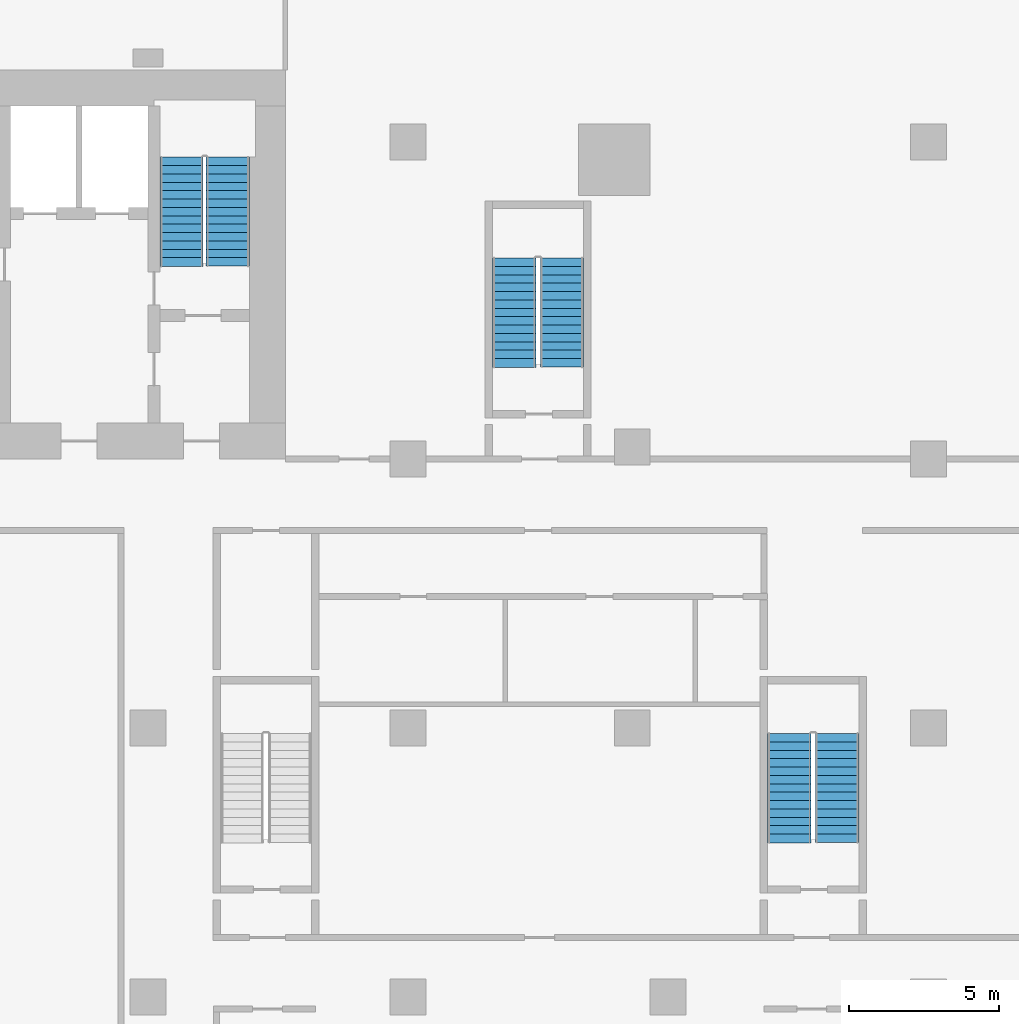
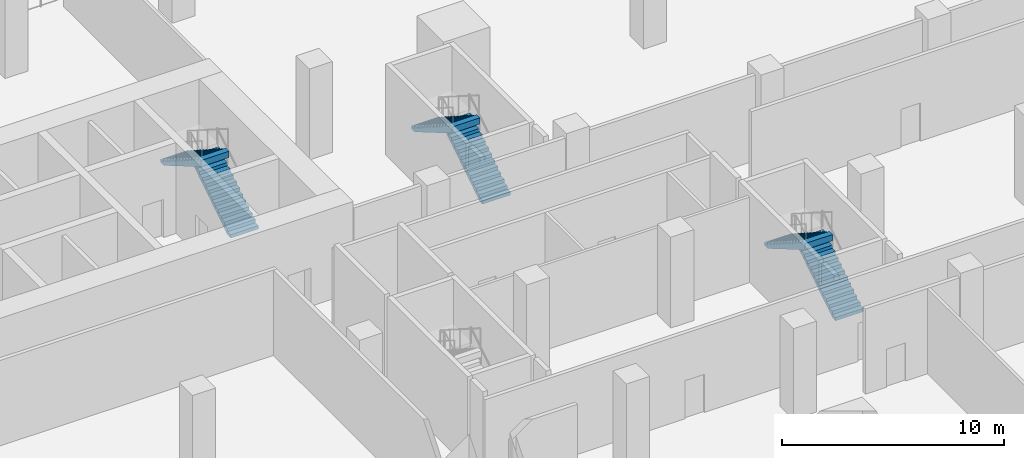
# One storey, part 13 of 16: 6 stair flights, 3 elements without a shape of their own.
"""IFC4 building model written with IfcOpenShell, lengths in metres."""

from ifc_helpers import new_model, si_unit, direction, frame, origin, place, context, subcontext, project, spatial, polyline, outline, extrude, material, type_object, element, aggregate, save


model = new_model("IFC4")

# Units and contexts
model_context = context("Model", 3, precision=1e-05, world=origin(), true_north=direction((0.0, 1.0)))
body_context = subcontext(model_context, "Body", "Model", "MODEL_VIEW")
ifc_project = project(units=[si_unit("LENGTHUNIT", "METRE"), si_unit("AREAUNIT", "SQUARE_METRE"), si_unit("VOLUMEUNIT", "CUBIC_METRE"), si_unit("PLANEANGLEUNIT", "RADIAN"), si_unit("MASSUNIT", "GRAM", prefix="KILO")], contexts=[model_context])

# Site, building, storey
site_placement = place(None, origin())
site = spatial("IfcSite", under=ifc_project, at=site_placement, CompositionType="ELEMENT")
building_placement = place(site_placement, origin())
building = spatial("IfcBuilding", under=site, at=building_placement, Name="Bicima Exchange Tower", CompositionType="ELEMENT")
storey_placement = place(building_placement, frame((0.0, 0.0, -5.0)))
storey = spatial("IfcBuildingStorey", under=building, at=storey_placement, Name="B1", CompositionType="ELEMENT", Elevation=-5.0)

# Stair, stair flights
ifc_material = material(Name="Concrete C50/60", Category="concrete")
stair_type = type_object("IfcStairType", Name="Exit stair", PredefinedType="HALF_TURN_STAIR", material=ifc_material)
stair_1_placement = place(storey_placement, origin())
stair_1 = element("IfcStair", 1, at=stair_1_placement, inside=storey, type_object=stair_type, Name="B1 East exit stair", PredefinedType="HALF_TURN_STAIR")
stair_flight_type = type_object("IfcStairFlightType", Name="Stair flight RC", PredefinedType="STRAIGHT", material=ifc_material)
stair_flight_1_placement = place(storey_placement, frame((20.074951171875, -6.550048828125, 0.0), z_axis=(0.0, 0.0, 1.0), x_axis=(0.0, 1.0, 0.0)))
stair_flight_1 = element("IfcStairFlight", 2, at=stair_flight_1_placement, type_object=stair_flight_type, Name="ST-E flight 1", NumberOfRisers=14, NumberOfTreads=13, PredefinedType="STRAIGHT", RiserHeight=0.178571429, TreadLength=0.28, context=body_context, shape_type="SweptSolid", body=[
    extrude(outline(polyline([(0.0, 0.0), (0.0, 0.178466796875), (0.280029296875, 0.178466796875), (0.280029296875, 0.357177734375), (0.56005859375, 0.357177734375), (0.56005859375, 0.53564453125), (0.840087890625, 0.53564453125), (0.840087890625, 0.71435546875), (1.1201171875, 0.71435546875), (1.1201171875, 0.892822265625), (1.39990234375, 0.892822265625), (1.39990234375, 1.071533203125), (1.679931640625, 1.071533203125), (1.679931640625, 1.25), (1.9599609375, 1.25), (1.9599609375, 1.428466796875), (2.239990234375, 1.428466796875), (2.239990234375, 1.607177734375), (2.52001953125, 1.607177734375), (2.52001953125, 1.78564453125), (2.800048828125, 1.78564453125), (2.800048828125, 1.96435546875), (3.080078125, 1.96435546875), (3.080078125, 2.142822265625), (3.360107421875, 2.142822265625), (3.360107421875, 2.321533203125), (3.639892578125, 2.321533203125), (3.639892578125, 2.5), (3.639892578125, 2.1435546875), (0.27880859375, 0.0), (0.0, 0.0)])), frame((0.0, 0.72509765625, 0.0), z_axis=(0.0, -1.0, 0.0), x_axis=(1.0, 0.0, 0.0)), (0.0, 0.0, 1.0), 1.449951171875),
])
stair_flight_2_placement = place(storey_placement, frame((18.52490234375, -2.909912109375, 2.5), z_axis=(0.0, 0.0, 1.0), x_axis=(0.0, -1.0, 0.0)))
stair_flight_2 = element("IfcStairFlight", 3, at=stair_flight_2_placement, type_object=stair_flight_type, Name="ST-E flight 2", NumberOfRisers=14, NumberOfTreads=13, PredefinedType="STRAIGHT", RiserHeight=0.178571429, TreadLength=0.28, context=body_context, shape_type="SweptSolid", body=[
    extrude(outline(polyline([(0.0, 0.0), (0.0, 0.178466796875), (0.280029296875, 0.178466796875), (0.280029296875, 0.357177734375), (0.56005859375, 0.357177734375), (0.56005859375, 0.53564453125), (0.840087890625, 0.53564453125), (0.840087890625, 0.71435546875), (1.1201171875, 0.71435546875), (1.1201171875, 0.892822265625), (1.39990234375, 0.892822265625), (1.39990234375, 1.071533203125), (1.679931640625, 1.071533203125), (1.679931640625, 1.25), (1.9599609375, 1.25), (1.9599609375, 1.428466796875), (2.239990234375, 1.428466796875), (2.239990234375, 1.607177734375), (2.52001953125, 1.607177734375), (2.52001953125, 1.78564453125), (2.800048828125, 1.78564453125), (2.800048828125, 1.96435546875), (3.080078125, 1.96435546875), (3.080078125, 2.142822265625), (3.360107421875, 2.142822265625), (3.360107421875, 2.321533203125), (3.639892578125, 2.321533203125), (3.655029296875, 2.321533203125), (3.655029296875, 1.974609375), (0.27880859375, 0.0), (0.0, 0.0)])), frame((0.0, 0.72509765625, 0.0), z_axis=(0.0, -1.0, 0.0), x_axis=(1.0, 0.0, 0.0)), (0.0, 0.0, 1.0), 1.449951171875),
])
aggregate(stair_1, [stair_flight_1, stair_flight_2])

stair_2_placement = place(storey_placement, origin())
stair_2 = element("IfcStair", 4, at=stair_2_placement, inside=storey, type_object=stair_type, Name="B1 East end exit stair", PredefinedType="HALF_TURN_STAIR")
stair_flight_3_placement = place(storey_placement, frame((31.25, -9.925048828125, 0.0), z_axis=(0.0, 0.0, 1.0), x_axis=(0.0, 1.0, 0.0)))
stair_flight_3 = element("IfcStairFlight", 5, at=stair_flight_3_placement, type_object=stair_flight_type, Name="ST-EE flight 1", NumberOfRisers=14, NumberOfTreads=13, PredefinedType="STRAIGHT", RiserHeight=0.178571429, TreadLength=0.28, context=body_context, shape_type="SweptSolid", body=[
    extrude(outline(polyline([(0.0, 0.0), (0.0, 0.178466796875), (0.280029296875, 0.178466796875), (0.280029296875, 0.357177734375), (0.56005859375, 0.357177734375), (0.56005859375, 0.53564453125), (0.840087890625, 0.53564453125), (0.840087890625, 0.71435546875), (1.1201171875, 0.71435546875), (1.1201171875, 0.892822265625), (1.39990234375, 0.892822265625), (1.39990234375, 1.071533203125), (1.679931640625, 1.071533203125), (1.679931640625, 1.25), (1.9599609375, 1.25), (1.9599609375, 1.428466796875), (2.239990234375, 1.428466796875), (2.239990234375, 1.607177734375), (2.52001953125, 1.607177734375), (2.52001953125, 1.78564453125), (2.800048828125, 1.78564453125), (2.800048828125, 1.96435546875), (3.080078125, 1.96435546875), (3.080078125, 2.142822265625), (3.360107421875, 2.142822265625), (3.360107421875, 2.321533203125), (3.639892578125, 2.321533203125), (3.639892578125, 2.5), (3.639892578125, 2.1435546875), (0.27880859375, 0.0), (0.0, 0.0)])), frame((0.0, 0.72509765625, 0.0), z_axis=(0.0, -1.0, 0.0), x_axis=(1.0, 0.0, 0.0)), (0.0, 0.0, 1.0), 1.449951171875),
])
stair_flight_4_placement = place(storey_placement, frame((29.64990234375, -6.284912109375, 2.5), z_axis=(0.0, 0.0, 1.0), x_axis=(0.0, -1.0, 0.0)))
stair_flight_4 = element("IfcStairFlight", 6, at=stair_flight_4_placement, type_object=stair_flight_type, Name="ST-EE flight 2", NumberOfRisers=14, NumberOfTreads=13, PredefinedType="STRAIGHT", RiserHeight=0.178571429, TreadLength=0.28, context=body_context, shape_type="SweptSolid", body=[
    extrude(outline(polyline([(0.0, 0.0), (0.0, 0.178466796875), (0.280029296875, 0.178466796875), (0.280029296875, 0.357177734375), (0.56005859375, 0.357177734375), (0.56005859375, 0.53564453125), (0.840087890625, 0.53564453125), (0.840087890625, 0.71435546875), (1.1201171875, 0.71435546875), (1.1201171875, 0.892822265625), (1.39990234375, 0.892822265625), (1.39990234375, 1.071533203125), (1.679931640625, 1.071533203125), (1.679931640625, 1.25), (1.9599609375, 1.25), (1.9599609375, 1.428466796875), (2.239990234375, 1.428466796875), (2.239990234375, 1.607177734375), (2.52001953125, 1.607177734375), (2.52001953125, 1.78564453125), (2.800048828125, 1.78564453125), (2.800048828125, 1.96435546875), (3.080078125, 1.96435546875), (3.080078125, 2.142822265625), (3.360107421875, 2.142822265625), (3.360107421875, 2.321533203125), (3.639892578125, 2.321533203125), (3.655029296875, 2.321533203125), (3.655029296875, 1.974609375), (0.27880859375, 0.0), (0.0, 0.0)])), frame((0.0, 0.72509765625, 0.0), z_axis=(0.0, -1.0, 0.0), x_axis=(1.0, 0.0, 0.0)), (0.0, 0.0, 1.0), 1.449951171875),
])
aggregate(stair_2, [stair_flight_3, stair_flight_4])

stair_3_placement = place(storey_placement, origin())
stair_3 = element("IfcStair", 7, at=stair_3_placement, inside=storey, type_object=stair_type, Name="B1 Podium east stair", PredefinedType="HALF_TURN_STAIR")
stair_flight_5_placement = place(storey_placement, frame((40.449951171875, -25.824951171875, 0.0), z_axis=(0.0, 0.0, 1.0), x_axis=(0.0, 1.0, 0.0)))
stair_flight_5 = element("IfcStairFlight", 8, at=stair_flight_5_placement, type_object=stair_flight_type, Name="PS-E flight 1", NumberOfRisers=14, NumberOfTreads=13, PredefinedType="STRAIGHT", RiserHeight=0.178571429, TreadLength=0.28, context=body_context, shape_type="SweptSolid", body=[
    extrude(outline(polyline([(0.0, 0.0), (0.0, 0.178466796875), (0.280029296875, 0.178466796875), (0.280029296875, 0.357177734375), (0.56005859375, 0.357177734375), (0.56005859375, 0.53564453125), (0.840087890625, 0.53564453125), (0.840087890625, 0.71435546875), (1.1201171875, 0.71435546875), (1.1201171875, 0.892822265625), (1.39990234375, 0.892822265625), (1.39990234375, 1.071533203125), (1.679931640625, 1.071533203125), (1.679931640625, 1.25), (1.9599609375, 1.25), (1.9599609375, 1.428466796875), (2.239990234375, 1.428466796875), (2.239990234375, 1.607177734375), (2.52001953125, 1.607177734375), (2.52001953125, 1.78564453125), (2.800048828125, 1.78564453125), (2.800048828125, 1.96435546875), (3.080078125, 1.96435546875), (3.080078125, 2.142822265625), (3.360107421875, 2.142822265625), (3.360107421875, 2.321533203125), (3.639892578125, 2.321533203125), (3.639892578125, 2.5), (3.639892578125, 2.1435546875), (0.27880859375, 0.0), (0.0, 0.0)])), frame((0.0, 0.72509765625, 0.0), z_axis=(0.0, -1.0, 0.0), x_axis=(1.0, 0.0, 0.0)), (0.0, 0.0, 1.0), 1.449951171875),
])
stair_flight_6_placement = place(storey_placement, frame((38.85009765625, -22.18505859375, 2.5), z_axis=(0.0, 0.0, 1.0), x_axis=(0.0, -1.0, 0.0)))
stair_flight_6 = element("IfcStairFlight", 9, at=stair_flight_6_placement, type_object=stair_flight_type, Name="PS-E flight 2", NumberOfRisers=14, NumberOfTreads=13, PredefinedType="STRAIGHT", RiserHeight=0.178571429, TreadLength=0.28, context=body_context, shape_type="SweptSolid", body=[
    extrude(outline(polyline([(0.0, 0.0), (0.0, 0.178466796875), (0.280029296875, 0.178466796875), (0.280029296875, 0.357177734375), (0.56005859375, 0.357177734375), (0.56005859375, 0.53564453125), (0.840087890625, 0.53564453125), (0.840087890625, 0.71435546875), (1.1201171875, 0.71435546875), (1.1201171875, 0.892822265625), (1.39990234375, 0.892822265625), (1.39990234375, 1.071533203125), (1.679931640625, 1.071533203125), (1.679931640625, 1.25), (1.9599609375, 1.25), (1.9599609375, 1.428466796875), (2.239990234375, 1.428466796875), (2.239990234375, 1.607177734375), (2.52001953125, 1.607177734375), (2.52001953125, 1.78564453125), (2.800048828125, 1.78564453125), (2.800048828125, 1.96435546875), (3.080078125, 1.96435546875), (3.080078125, 2.142822265625), (3.360107421875, 2.142822265625), (3.360107421875, 2.321533203125), (3.639892578125, 2.321533203125), (3.655029296875, 2.321533203125), (3.655029296875, 1.974609375), (0.27880859375, 0.0), (0.0, 0.0)])), frame((0.0, 0.72509765625, 0.0), z_axis=(0.0, -1.0, 0.0), x_axis=(1.0, 0.0, 0.0)), (0.0, 0.0, 1.0), 1.449951171875),
])
aggregate(stair_3, [stair_flight_5, stair_flight_6])

save(model, "model.ifc")
